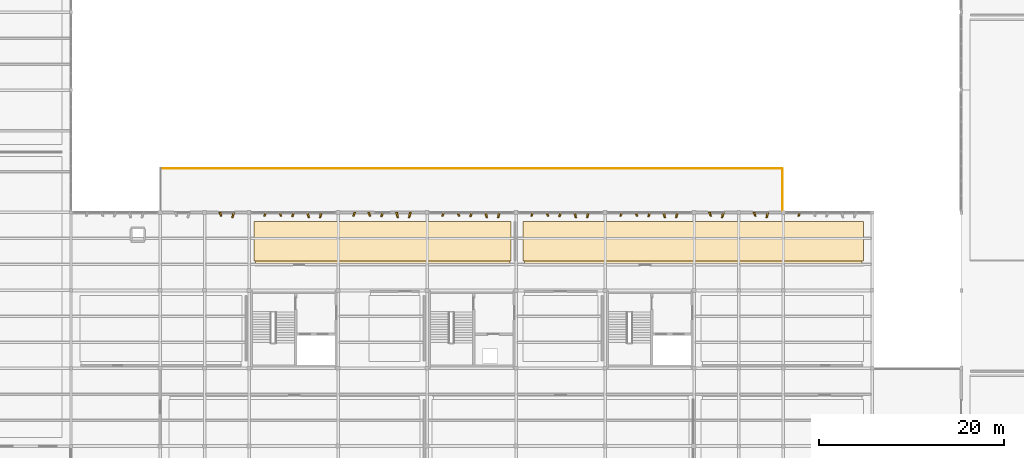
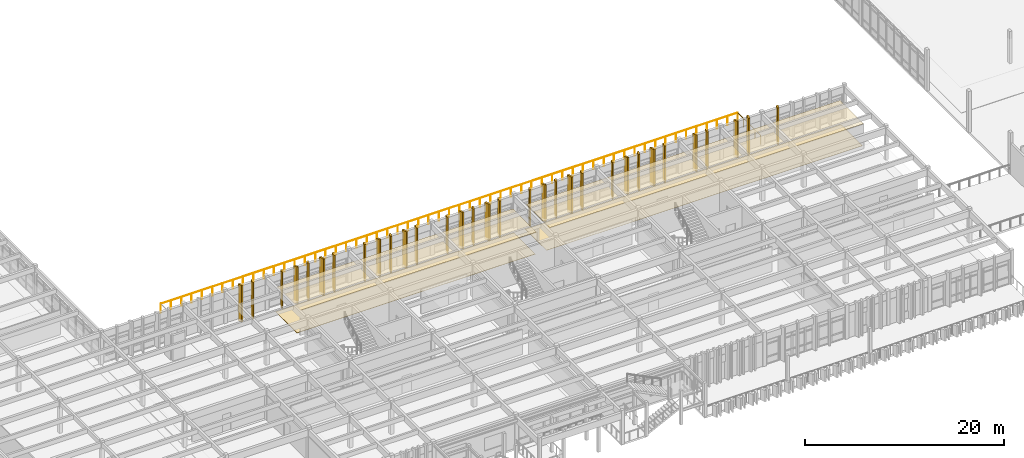
# One storey, part 57 of 61: 36 coverings, 2 railings.
"""IFC4 building model written with IfcOpenShell, lengths in metres."""

from ifc_helpers import new_model, si_unit, direction, frame, origin, origin_2d, place, context, subcontext, project, spatial, polyline, circle, outline, extrude, material, layer, layer_set, type_object, element, save


model = new_model("IFC4")

# Units and contexts
model_context = context("Model", 3, precision=1e-05, world=origin(), true_north=direction((0.0, 1.0)))
body_context = subcontext(model_context, "Body", "Model", "MODEL_VIEW")
ifc_project = project(units=[si_unit("LENGTHUNIT", "METRE"), si_unit("AREAUNIT", "SQUARE_METRE"), si_unit("VOLUMEUNIT", "CUBIC_METRE"), si_unit("PLANEANGLEUNIT", "RADIAN"), si_unit("MASSUNIT", "GRAM", prefix="KILO")], contexts=[model_context])

# Site, building, storey
site_placement = place(None, origin())
site = spatial("IfcSite", under=ifc_project, at=site_placement, CompositionType="ELEMENT")
building_placement = place(site_placement, origin())
building = spatial("IfcBuilding", under=site, at=building_placement, Name="Kolvemor Railside Polytechnic", CompositionType="ELEMENT")
storey_placement = place(building_placement, frame((0.0, 0.0, 10.199951171875)))
storey = spatial("IfcBuildingStorey", under=building, at=storey_placement, Name="L02", CompositionType="ELEMENT", Elevation=10.199951171875)

# Coverings
ifc_material_1 = material(Name="Perforated acoustic mineral-fibre and timber-slat ceiling", Category="wood")
ifc_layer_1 = layer(ifc_material_1, 0.02490234375, Name="COV-CEIL-1")
ifc_layer_set_1 = layer_set([ifc_layer_1], Name="Perforated acoustic mineral-fibre and timber-slat ceiling")
covering_type_1 = type_object("IfcCoveringType", Name="COV-CEIL-1", PredefinedType="CEILING", material=ifc_layer_set_1)
covering_1_placement = place(storey_placement, frame((0.0, 0.0, 3.005126953125)))
element("IfcCovering", 1, at=covering_1_placement, inside=storey, type_object=covering_type_1, Name="Product Ergonomics Design Studio Acoustic Ceiling", PredefinedType="CEILING", context=body_context, shape_type="SweptSolid", body=[
    extrude(outline(polyline([(96.8798828125, 32.719970703125), (133.320068359375, 32.719970703125), (133.320068359375, 37.449951171875), (96.8798828125, 37.449951171875), (96.8798828125, 32.719970703125)])), origin(), (0.0, 0.0, 1.0), 0.02490234375),
])
ifc_material_2 = material(Name="Perforated acoustic mineral-fibre and timber-slat ceiling", Category="wood")
ifc_layer_2 = layer(ifc_material_2, 0.0400390625, Name="COV-CEIL-4")
ifc_layer_set_2 = layer_set([ifc_layer_2], Name="Perforated acoustic mineral-fibre and timber-slat ceiling")
covering_type_2 = type_object("IfcCoveringType", Name="COV-CEIL-4", PredefinedType="CEILING", material=ifc_layer_set_2)
covering_2_placement = place(storey_placement, frame((0.0, 0.0, 2.989990234375)))
element("IfcCovering", 2, at=covering_2_placement, inside=storey, type_object=covering_type_2, Name="Seminar Room 204 Acoustic Ceiling", PredefinedType="CEILING", context=body_context, shape_type="SweptSolid", body=[
    extrude(outline(polyline([(67.8798828125, 32.719970703125), (95.320068359375, 32.719970703125), (95.320068359375, 37.449951171875), (67.8798828125, 37.449951171875), (67.8798828125, 32.719970703125)])), origin(), (0.0, 0.0, 1.0), 0.0400390625),
])
ifc_material_3 = material(Name="Sea-mist PVDF-anodised marine aluminium 5052-H32", Category="aluminium")
ifc_layer_3 = layer(ifc_material_3, 0.159912109375, Name="COV-FIN-MIST")
ifc_layer_set_3 = layer_set([ifc_layer_3], Name="Sea-mist PVDF-anodised marine aluminium 5052-H32")
covering_type_3 = type_object("IfcCoveringType", Name="COV-FIN-MIST", PredefinedType="CLADDING", material=ifc_layer_set_3)
covering_3_placement = place(storey_placement, frame((0.0, 0.0, -0.320068359375)))
element("IfcCovering", 3, at=covering_3_placement, inside=storey, type_object=covering_type_3, Name="Pleated Solar Fin L02-0492", PredefinedType="CLADDING", context=body_context, shape_type="SweptSolid", body=[
    extrude(outline(polyline([(65.6650390625, 38.43505859375), (65.43505859375, 38.43505859375), (65.330078125, 37.847900390625), (65.489990234375, 37.847900390625), (65.6650390625, 38.43505859375)])), origin(), (0.0, 0.0, 1.0), 4.52001953125),
])
covering_4_placement = place(storey_placement, frame((0.0, 0.0, -0.320068359375)))
element("IfcCovering", 4, at=covering_4_placement, inside=storey, type_object=covering_type_3, Name="Pleated Solar Fin L02-0493", PredefinedType="CLADDING", context=body_context, shape_type="SweptSolid", body=[
    extrude(outline(polyline([(64.1650390625, 38.43505859375), (63.93505859375, 38.43505859375), (64.110107421875, 37.98193359375), (64.27001953125, 37.98193359375), (64.1650390625, 38.43505859375)])), origin(), (0.0, 0.0, 1.0), 4.52001953125),
])
covering_5_placement = place(storey_placement, frame((0.0, 0.0, -0.320068359375)))
element("IfcCovering", 5, at=covering_5_placement, inside=storey, type_object=covering_type_3, Name="Pleated Solar Fin L02-0494", PredefinedType="CLADDING", context=body_context, shape_type="SweptSolid", body=[
    extrude(outline(polyline([(75.114990234375, 38.43505859375), (74.885009765625, 38.43505859375), (74.780029296875, 37.841064453125), (74.93994140625, 37.841064453125), (75.114990234375, 38.43505859375)])), origin(), (0.0, 0.0, 1.0), 4.52001953125),
])
covering_6_placement = place(storey_placement, frame((0.0, 0.0, -0.320068359375)))
element("IfcCovering", 6, at=covering_6_placement, inside=storey, type_object=covering_type_3, Name="Pleated Solar Fin L02-0495", PredefinedType="CLADDING", context=body_context, shape_type="SweptSolid", body=[
    extrude(outline(polyline([(73.614990234375, 38.43505859375), (73.385009765625, 38.43505859375), (73.56005859375, 37.847900390625), (73.719970703125, 37.847900390625), (73.614990234375, 38.43505859375)])), origin(), (0.0, 0.0, 1.0), 4.52001953125),
])
covering_7_placement = place(storey_placement, frame((0.0, 0.0, -0.320068359375)))
element("IfcCovering", 7, at=covering_7_placement, inside=storey, type_object=covering_type_3, Name="Pleated Solar Fin L02-0496", PredefinedType="CLADDING", context=body_context, shape_type="SweptSolid", body=[
    extrude(outline(polyline([(72.114990234375, 38.43505859375), (71.885009765625, 38.43505859375), (71.780029296875, 37.9150390625), (71.93994140625, 37.9150390625), (72.114990234375, 38.43505859375)])), origin(), (0.0, 0.0, 1.0), 4.52001953125),
])
covering_8_placement = place(storey_placement, frame((0.0, 0.0, -0.320068359375)))
element("IfcCovering", 8, at=covering_8_placement, inside=storey, type_object=covering_type_3, Name="Pleated Solar Fin L02-0497", PredefinedType="CLADDING", context=body_context, shape_type="SweptSolid", body=[
    extrude(outline(polyline([(70.614990234375, 38.43505859375), (70.385009765625, 38.43505859375), (70.56005859375, 37.98193359375), (70.719970703125, 37.98193359375), (70.614990234375, 38.43505859375)])), origin(), (0.0, 0.0, 1.0), 4.52001953125),
])
covering_9_placement = place(storey_placement, frame((0.0, 0.0, -0.320068359375)))
element("IfcCovering", 9, at=covering_9_placement, inside=storey, type_object=covering_type_3, Name="Pleated Solar Fin L02-0498", PredefinedType="CLADDING", context=body_context, shape_type="SweptSolid", body=[
    extrude(outline(polyline([(69.114990234375, 38.43505859375), (68.885009765625, 38.43505859375), (68.780029296875, 37.989013671875), (68.93994140625, 37.989013671875), (69.114990234375, 38.43505859375)])), origin(), (0.0, 0.0, 1.0), 4.52001953125),
])
covering_10_placement = place(storey_placement, frame((0.0, 0.0, -0.320068359375)))
element("IfcCovering", 10, at=covering_10_placement, inside=storey, type_object=covering_type_3, Name="Pleated Solar Fin L02-0499", PredefinedType="CLADDING", context=body_context, shape_type="SweptSolid", body=[
    extrude(outline(polyline([(84.715087890625, 38.43505859375), (84.485107421875, 38.43505859375), (84.3798828125, 37.841064453125), (84.5400390625, 37.841064453125), (84.715087890625, 38.43505859375)])), origin(), (0.0, 0.0, 1.0), 4.52001953125),
])
covering_11_placement = place(storey_placement, frame((0.0, 0.0, -0.320068359375)))
element("IfcCovering", 11, at=covering_11_placement, inside=storey, type_object=covering_type_3, Name="Pleated Solar Fin L02-0500", PredefinedType="CLADDING", context=body_context, shape_type="SweptSolid", body=[
    extrude(outline(polyline([(83.215087890625, 38.43505859375), (82.985107421875, 38.43505859375), (83.159912109375, 37.847900390625), (83.320068359375, 37.847900390625), (83.215087890625, 38.43505859375)])), origin(), (0.0, 0.0, 1.0), 4.52001953125),
])
covering_12_placement = place(storey_placement, frame((0.0, 0.0, -0.320068359375)))
element("IfcCovering", 12, at=covering_12_placement, inside=storey, type_object=covering_type_3, Name="Pleated Solar Fin L02-0501", PredefinedType="CLADDING", context=body_context, shape_type="SweptSolid", body=[
    extrude(outline(polyline([(81.715087890625, 38.43505859375), (81.485107421875, 38.43505859375), (81.3798828125, 37.9150390625), (81.5400390625, 37.9150390625), (81.715087890625, 38.43505859375)])), origin(), (0.0, 0.0, 1.0), 4.52001953125),
])
covering_13_placement = place(storey_placement, frame((0.0, 0.0, -0.320068359375)))
element("IfcCovering", 13, at=covering_13_placement, inside=storey, type_object=covering_type_3, Name="Pleated Solar Fin L02-0502", PredefinedType="CLADDING", context=body_context, shape_type="SweptSolid", body=[
    extrude(outline(polyline([(80.215087890625, 38.43505859375), (79.985107421875, 38.43505859375), (80.159912109375, 37.98193359375), (80.320068359375, 37.98193359375), (80.215087890625, 38.43505859375)])), origin(), (0.0, 0.0, 1.0), 4.52001953125),
])
covering_14_placement = place(storey_placement, frame((0.0, 0.0, -0.320068359375)))
element("IfcCovering", 14, at=covering_14_placement, inside=storey, type_object=covering_type_3, Name="Pleated Solar Fin L02-0503", PredefinedType="CLADDING", context=body_context, shape_type="SweptSolid", body=[
    extrude(outline(polyline([(78.715087890625, 38.43505859375), (78.485107421875, 38.43505859375), (78.3798828125, 37.989013671875), (78.5400390625, 37.989013671875), (78.715087890625, 38.43505859375)])), origin(), (0.0, 0.0, 1.0), 4.52001953125),
])
covering_15_placement = place(storey_placement, frame((0.0, 0.0, -0.320068359375)))
element("IfcCovering", 15, at=covering_15_placement, inside=storey, type_object=covering_type_3, Name="Pleated Solar Fin L02-0504", PredefinedType="CLADDING", context=body_context, shape_type="SweptSolid", body=[
    extrude(outline(polyline([(94.31494140625, 38.43505859375), (94.0849609375, 38.43505859375), (93.97998046875, 37.841064453125), (94.139892578125, 37.841064453125), (94.31494140625, 38.43505859375)])), origin(), (0.0, 0.0, 1.0), 4.52001953125),
])
covering_16_placement = place(storey_placement, frame((0.0, 0.0, -0.320068359375)))
element("IfcCovering", 16, at=covering_16_placement, inside=storey, type_object=covering_type_3, Name="Pleated Solar Fin L02-0505", PredefinedType="CLADDING", context=body_context, shape_type="SweptSolid", body=[
    extrude(outline(polyline([(92.81494140625, 38.43505859375), (92.5849609375, 38.43505859375), (92.760009765625, 37.847900390625), (92.919921875, 37.847900390625), (92.81494140625, 38.43505859375)])), origin(), (0.0, 0.0, 1.0), 4.52001953125),
])
covering_17_placement = place(storey_placement, frame((0.0, 0.0, -0.320068359375)))
element("IfcCovering", 17, at=covering_17_placement, inside=storey, type_object=covering_type_3, Name="Pleated Solar Fin L02-0506", PredefinedType="CLADDING", context=body_context, shape_type="SweptSolid", body=[
    extrude(outline(polyline([(91.31494140625, 38.43505859375), (91.0849609375, 38.43505859375), (90.97998046875, 37.9150390625), (91.139892578125, 37.9150390625), (91.31494140625, 38.43505859375)])), origin(), (0.0, 0.0, 1.0), 4.52001953125),
])
covering_18_placement = place(storey_placement, frame((0.0, 0.0, -0.320068359375)))
element("IfcCovering", 18, at=covering_18_placement, inside=storey, type_object=covering_type_3, Name="Pleated Solar Fin L02-0507", PredefinedType="CLADDING", context=body_context, shape_type="SweptSolid", body=[
    extrude(outline(polyline([(89.81494140625, 38.43505859375), (89.5849609375, 38.43505859375), (89.760009765625, 37.98193359375), (89.919921875, 37.98193359375), (89.81494140625, 38.43505859375)])), origin(), (0.0, 0.0, 1.0), 4.52001953125),
])
covering_19_placement = place(storey_placement, frame((0.0, 0.0, -0.320068359375)))
element("IfcCovering", 19, at=covering_19_placement, inside=storey, type_object=covering_type_3, Name="Pleated Solar Fin L02-0508", PredefinedType="CLADDING", context=body_context, shape_type="SweptSolid", body=[
    extrude(outline(polyline([(88.31494140625, 38.43505859375), (88.0849609375, 38.43505859375), (87.97998046875, 37.989013671875), (88.139892578125, 37.989013671875), (88.31494140625, 38.43505859375)])), origin(), (0.0, 0.0, 1.0), 4.52001953125),
])
covering_20_placement = place(storey_placement, frame((0.0, 0.0, -0.320068359375)))
element("IfcCovering", 20, at=covering_20_placement, inside=storey, type_object=covering_type_3, Name="Pleated Solar Fin L02-0509", PredefinedType="CLADDING", context=body_context, shape_type="SweptSolid", body=[
    extrude(outline(polyline([(103.9150390625, 38.43505859375), (103.68505859375, 38.43505859375), (103.580078125, 37.841064453125), (103.739990234375, 37.841064453125), (103.9150390625, 38.43505859375)])), origin(), (0.0, 0.0, 1.0), 4.52001953125),
])
covering_21_placement = place(storey_placement, frame((0.0, 0.0, -0.320068359375)))
element("IfcCovering", 21, at=covering_21_placement, inside=storey, type_object=covering_type_3, Name="Pleated Solar Fin L02-0510", PredefinedType="CLADDING", context=body_context, shape_type="SweptSolid", body=[
    extrude(outline(polyline([(102.4150390625, 38.43505859375), (102.18505859375, 38.43505859375), (102.360107421875, 37.847900390625), (102.52001953125, 37.847900390625), (102.4150390625, 38.43505859375)])), origin(), (0.0, 0.0, 1.0), 4.52001953125),
])
covering_22_placement = place(storey_placement, frame((0.0, 0.0, -0.320068359375)))
element("IfcCovering", 22, at=covering_22_placement, inside=storey, type_object=covering_type_3, Name="Pleated Solar Fin L02-0511", PredefinedType="CLADDING", context=body_context, shape_type="SweptSolid", body=[
    extrude(outline(polyline([(100.9150390625, 38.43505859375), (100.68505859375, 38.43505859375), (100.580078125, 37.9150390625), (100.739990234375, 37.9150390625), (100.9150390625, 38.43505859375)])), origin(), (0.0, 0.0, 1.0), 4.52001953125),
])
covering_23_placement = place(storey_placement, frame((0.0, 0.0, -0.320068359375)))
element("IfcCovering", 23, at=covering_23_placement, inside=storey, type_object=covering_type_3, Name="Pleated Solar Fin L02-0512", PredefinedType="CLADDING", context=body_context, shape_type="SweptSolid", body=[
    extrude(outline(polyline([(99.4150390625, 38.43505859375), (99.18505859375, 38.43505859375), (99.360107421875, 37.98193359375), (99.52001953125, 37.98193359375), (99.4150390625, 38.43505859375)])), origin(), (0.0, 0.0, 1.0), 4.52001953125),
])
covering_24_placement = place(storey_placement, frame((0.0, 0.0, -0.320068359375)))
element("IfcCovering", 24, at=covering_24_placement, inside=storey, type_object=covering_type_3, Name="Pleated Solar Fin L02-0513", PredefinedType="CLADDING", context=body_context, shape_type="SweptSolid", body=[
    extrude(outline(polyline([(97.9150390625, 38.43505859375), (97.68505859375, 38.43505859375), (97.580078125, 37.989013671875), (97.739990234375, 37.989013671875), (97.9150390625, 38.43505859375)])), origin(), (0.0, 0.0, 1.0), 4.52001953125),
])
covering_25_placement = place(storey_placement, frame((0.0, 0.0, -0.320068359375)))
element("IfcCovering", 25, at=covering_25_placement, inside=storey, type_object=covering_type_3, Name="Pleated Solar Fin L02-0514", PredefinedType="CLADDING", context=body_context, shape_type="SweptSolid", body=[
    extrude(outline(polyline([(113.514892578125, 38.43505859375), (113.284912109375, 38.43505859375), (113.179931640625, 37.841064453125), (113.340087890625, 37.841064453125), (113.514892578125, 38.43505859375)])), origin(), (0.0, 0.0, 1.0), 4.52001953125),
])
covering_26_placement = place(storey_placement, frame((0.0, 0.0, -0.320068359375)))
element("IfcCovering", 26, at=covering_26_placement, inside=storey, type_object=covering_type_3, Name="Pleated Solar Fin L02-0515", PredefinedType="CLADDING", context=body_context, shape_type="SweptSolid", body=[
    extrude(outline(polyline([(112.014892578125, 38.43505859375), (111.784912109375, 38.43505859375), (111.9599609375, 37.847900390625), (112.1201171875, 37.847900390625), (112.014892578125, 38.43505859375)])), origin(), (0.0, 0.0, 1.0), 4.52001953125),
])
covering_27_placement = place(storey_placement, frame((0.0, 0.0, -0.320068359375)))
element("IfcCovering", 27, at=covering_27_placement, inside=storey, type_object=covering_type_3, Name="Pleated Solar Fin L02-0516", PredefinedType="CLADDING", context=body_context, shape_type="SweptSolid", body=[
    extrude(outline(polyline([(110.514892578125, 38.43505859375), (110.284912109375, 38.43505859375), (110.179931640625, 37.9150390625), (110.340087890625, 37.9150390625), (110.514892578125, 38.43505859375)])), origin(), (0.0, 0.0, 1.0), 4.52001953125),
])
covering_28_placement = place(storey_placement, frame((0.0, 0.0, -0.320068359375)))
element("IfcCovering", 28, at=covering_28_placement, inside=storey, type_object=covering_type_3, Name="Pleated Solar Fin L02-0517", PredefinedType="CLADDING", context=body_context, shape_type="SweptSolid", body=[
    extrude(outline(polyline([(109.014892578125, 38.43505859375), (108.784912109375, 38.43505859375), (108.9599609375, 37.98193359375), (109.1201171875, 37.98193359375), (109.014892578125, 38.43505859375)])), origin(), (0.0, 0.0, 1.0), 4.52001953125),
])
covering_29_placement = place(storey_placement, frame((0.0, 0.0, -0.320068359375)))
element("IfcCovering", 29, at=covering_29_placement, inside=storey, type_object=covering_type_3, Name="Pleated Solar Fin L02-0518", PredefinedType="CLADDING", context=body_context, shape_type="SweptSolid", body=[
    extrude(outline(polyline([(107.514892578125, 38.43505859375), (107.284912109375, 38.43505859375), (107.179931640625, 37.989013671875), (107.340087890625, 37.989013671875), (107.514892578125, 38.43505859375)])), origin(), (0.0, 0.0, 1.0), 4.52001953125),
])
covering_30_placement = place(storey_placement, frame((0.0, 0.0, -0.320068359375)))
element("IfcCovering", 30, at=covering_30_placement, inside=storey, type_object=covering_type_3, Name="Pleated Solar Fin L02-0519", PredefinedType="CLADDING", context=body_context, shape_type="SweptSolid", body=[
    extrude(outline(polyline([(118.465087890625, 38.43505859375), (118.235107421875, 38.43505859375), (118.1298828125, 37.847900390625), (118.2900390625, 37.847900390625), (118.465087890625, 38.43505859375)])), origin(), (0.0, 0.0, 1.0), 4.52001953125),
])
covering_31_placement = place(storey_placement, frame((0.0, 0.0, -0.320068359375)))
element("IfcCovering", 31, at=covering_31_placement, inside=storey, type_object=covering_type_3, Name="Pleated Solar Fin L02-0520", PredefinedType="CLADDING", context=body_context, shape_type="SweptSolid", body=[
    extrude(outline(polyline([(116.965087890625, 38.43505859375), (116.735107421875, 38.43505859375), (116.909912109375, 37.98193359375), (117.070068359375, 37.98193359375), (116.965087890625, 38.43505859375)])), origin(), (0.0, 0.0, 1.0), 4.52001953125),
])
covering_32_placement = place(storey_placement, frame((0.0, 0.0, -0.320068359375)))
element("IfcCovering", 32, at=covering_32_placement, inside=storey, type_object=covering_type_3, Name="Pleated Solar Fin L02-0521", PredefinedType="CLADDING", context=body_context, shape_type="SweptSolid", body=[
    extrude(outline(polyline([(123.264892578125, 38.43505859375), (123.034912109375, 38.43505859375), (122.929931640625, 37.847900390625), (123.090087890625, 37.847900390625), (123.264892578125, 38.43505859375)])), origin(), (0.0, 0.0, 1.0), 4.52001953125),
])
covering_33_placement = place(storey_placement, frame((0.0, 0.0, -0.320068359375)))
element("IfcCovering", 33, at=covering_33_placement, inside=storey, type_object=covering_type_3, Name="Pleated Solar Fin L02-0522", PredefinedType="CLADDING", context=body_context, shape_type="SweptSolid", body=[
    extrude(outline(polyline([(121.764892578125, 38.43505859375), (121.534912109375, 38.43505859375), (121.7099609375, 37.98193359375), (121.8701171875, 37.98193359375), (121.764892578125, 38.43505859375)])), origin(), (0.0, 0.0, 1.0), 4.52001953125),
])
covering_34_placement = place(storey_placement, frame((0.0, 0.0, -0.320068359375)))
element("IfcCovering", 34, at=covering_34_placement, inside=storey, type_object=covering_type_3, Name="Pleated Solar Fin L02-0527", PredefinedType="CLADDING", context=body_context, shape_type="SweptSolid", body=[
    extrude(outline(polyline([(126.715087890625, 38.43505859375), (126.485107421875, 38.43505859375), (126.3798828125, 37.989013671875), (126.5400390625, 37.989013671875), (126.715087890625, 38.43505859375)])), origin(), (0.0, 0.0, 1.0), 4.52001953125),
])
ifc_material_4 = material(Name="Polished coral-aggregate terrazzo and laboratory epoxy flooring")
ifc_layer_4 = layer(ifc_material_4, 0.02001953125, Name="COV-FLR-1")
ifc_layer_set_4 = layer_set([ifc_layer_4], Name="Polished coral-aggregate terrazzo and laboratory epoxy flooring")
covering_type_4 = type_object("IfcCoveringType", Name="COV-FLR-1", PredefinedType="FLOORING", material=ifc_layer_set_4)
covering_35_placement = place(storey_placement, origin())
element("IfcCovering", 35, at=covering_35_placement, inside=storey, type_object=covering_type_4, Name="Product Ergonomics Design Studio Floor Finish", PredefinedType="FLOORING", context=body_context, shape_type="SweptSolid", body=[
    extrude(outline(polyline([(96.75, 33.14990234375), (133.449951171875, 33.14990234375), (133.449951171875, 37.449951171875), (96.75, 37.449951171875), (96.75, 33.14990234375)])), origin(), (0.0, 0.0, 1.0), 0.02001953125),
])
ifc_material_5 = material(Name="Polished coral-aggregate terrazzo and laboratory epoxy flooring")
ifc_layer_5 = layer(ifc_material_5, 0.034912109375, Name="COV-FLR-4")
ifc_layer_set_5 = layer_set([ifc_layer_5], Name="Polished coral-aggregate terrazzo and laboratory epoxy flooring")
covering_type_5 = type_object("IfcCoveringType", Name="COV-FLR-4", PredefinedType="FLOORING", material=ifc_layer_set_5)
covering_36_placement = place(storey_placement, origin())
element("IfcCovering", 36, at=covering_36_placement, inside=storey, type_object=covering_type_5, Name="Seminar Room 204 Floor Finish", PredefinedType="FLOORING", context=body_context, shape_type="SweptSolid", body=[
    extrude(outline(polyline([(67.75, 33.14990234375), (95.449951171875, 33.14990234375), (95.449951171875, 37.449951171875), (67.75, 37.449951171875), (67.75, 33.14990234375)])), origin(), (0.0, 0.0, 1.0), 0.03515625),
])

# Railings
ifc_material_6 = material(Name="AISI 316 marine stainless-steel balustrade guard", Category="steel")
railing_type = type_object("IfcRailingType", Name="RLG-GUARD-1120", PredefinedType="BALUSTRADE", material=ifc_material_6)
railing_1_placement = place(storey_placement, frame((124.719970703125, 38.5400390625, 0.0)))
element("IfcRailing", 37, at=railing_1_placement, inside=storey, type_object=railing_type, Name="Corner Study Terrace L02-N E Guard GR-011", PredefinedType="BALUSTRADE", context=body_context, shape_type="SweptSolid", body=[
    extrude(circle(Radius=0.02392578125, at=origin_2d()), frame((0.0, 0.054931640625, 1.09619140625), z_axis=(0.0, 1.0, 0.0), x_axis=(-1.0, 0.0, 0.0)), (0.0, 0.0, 1.0), 4.469970703125),
    extrude(circle(Radius=0.02099609375, at=origin_2d()), origin(), (0.0, 0.0, 1.0), 1.05712890625),
    extrude(circle(Radius=0.02099609375, at=origin_2d()), frame((0.0, 1.14501953125, 0.0)), (0.0, 0.0, 1.0), 1.05712890625),
    extrude(circle(Radius=0.02099609375, at=origin_2d()), frame((0.0, 2.2900390625, 0.0)), (0.0, 0.0, 1.0), 1.05712890625),
    extrude(circle(Radius=0.02099609375, at=origin_2d()), frame((0.0, 3.43505859375, 0.0)), (0.0, 0.0, 1.0), 1.05712890625),
    extrude(circle(Radius=0.02099609375, at=origin_2d()), frame((0.0, 4.580078125, 0.0)), (0.0, 0.0, 1.0), 1.05712890625),
])
railing_2_placement = place(storey_placement, frame((124.719970703125, 43.1201171875, 0.0)))
element("IfcRailing", 38, at=railing_2_placement, inside=storey, type_object=railing_type, Name="Corner Study Terrace L02-N N Guard GR-012", PredefinedType="BALUSTRADE", context=body_context, shape_type="SweptSolid", body=[
    extrude(circle(Radius=0.02392578125, at=origin_2d()), frame((-0.054931640625, 0.0, 1.09619140625), z_axis=(-1.0, 0.0, 0.0), x_axis=(0.0, -1.0, 0.0)), (0.0, 0.0, 1.0), 66.929931640625),
    extrude(circle(Radius=0.02099609375, at=origin_2d()), origin(), (0.0, 0.0, 1.0), 1.05712890625),
    extrude(circle(Radius=0.02099609375, at=origin_2d()), frame((-1.197265625, 0.0, 0.0)), (0.0, 0.0, 1.0), 1.05712890625),
    extrude(circle(Radius=0.02099609375, at=origin_2d()), frame((-2.394287109375, 0.0, 0.0)), (0.0, 0.0, 1.0), 1.05712890625),
    extrude(circle(Radius=0.02099609375, at=origin_2d()), frame((-3.59130859375, 0.0, 0.0)), (0.0, 0.0, 1.0), 1.05712890625),
    extrude(circle(Radius=0.02099609375, at=origin_2d()), frame((-4.78857421875, 0.0, 0.0)), (0.0, 0.0, 1.0), 1.05712890625),
    extrude(circle(Radius=0.02099609375, at=origin_2d()), frame((-5.98583984375, 0.0, 0.0)), (0.0, 0.0, 1.0), 1.05712890625),
    extrude(circle(Radius=0.02099609375, at=origin_2d()), frame((-7.182861328125, 0.0, 0.0)), (0.0, 0.0, 1.0), 1.05712890625),
    extrude(circle(Radius=0.02099609375, at=origin_2d()), frame((-8.3798828125, 0.0, 0.0)), (0.0, 0.0, 1.0), 1.05712890625),
    extrude(circle(Radius=0.02099609375, at=origin_2d()), frame((-9.5771484375, 0.0, 0.0)), (0.0, 0.0, 1.0), 1.05712890625),
    extrude(circle(Radius=0.02099609375, at=origin_2d()), frame((-10.7744140625, 0.0, 0.0)), (0.0, 0.0, 1.0), 1.05712890625),
    extrude(circle(Radius=0.02099609375, at=origin_2d()), frame((-11.971435546875, 0.0, 0.0)), (0.0, 0.0, 1.0), 1.05712890625),
    extrude(circle(Radius=0.02099609375, at=origin_2d()), frame((-13.16845703125, 0.0, 0.0)), (0.0, 0.0, 1.0), 1.05712890625),
    extrude(circle(Radius=0.02099609375, at=origin_2d()), frame((-14.36572265625, 0.0, 0.0)), (0.0, 0.0, 1.0), 1.05712890625),
    extrude(circle(Radius=0.02099609375, at=origin_2d()), frame((-15.56298828125, 0.0, 0.0)), (0.0, 0.0, 1.0), 1.05712890625),
    extrude(circle(Radius=0.02099609375, at=origin_2d()), frame((-16.760009765625, 0.0, 0.0)), (0.0, 0.0, 1.0), 1.05712890625),
    extrude(circle(Radius=0.02099609375, at=origin_2d()), frame((-17.95703125, 0.0, 0.0)), (0.0, 0.0, 1.0), 1.05712890625),
    extrude(circle(Radius=0.02099609375, at=origin_2d()), frame((-19.154296875, 0.0, 0.0)), (0.0, 0.0, 1.0), 1.05712890625),
    extrude(circle(Radius=0.02099609375, at=origin_2d()), frame((-20.3515625, 0.0, 0.0)), (0.0, 0.0, 1.0), 1.05712890625),
    extrude(circle(Radius=0.02099609375, at=origin_2d()), frame((-21.548583984375, 0.0, 0.0)), (0.0, 0.0, 1.0), 1.05712890625),
    extrude(circle(Radius=0.02099609375, at=origin_2d()), frame((-22.74560546875, 0.0, 0.0)), (0.0, 0.0, 1.0), 1.05712890625),
    extrude(circle(Radius=0.02099609375, at=origin_2d()), frame((-23.94287109375, 0.0, 0.0)), (0.0, 0.0, 1.0), 1.05712890625),
    extrude(circle(Radius=0.02099609375, at=origin_2d()), frame((-25.14013671875, 0.0, 0.0)), (0.0, 0.0, 1.0), 1.05712890625),
    extrude(circle(Radius=0.02099609375, at=origin_2d()), frame((-26.337158203125, 0.0, 0.0)), (0.0, 0.0, 1.0), 1.05712890625),
    extrude(circle(Radius=0.02099609375, at=origin_2d()), frame((-27.5341796875, 0.0, 0.0)), (0.0, 0.0, 1.0), 1.05712890625),
    extrude(circle(Radius=0.02099609375, at=origin_2d()), frame((-28.7314453125, 0.0, 0.0)), (0.0, 0.0, 1.0), 1.05712890625),
    extrude(circle(Radius=0.02099609375, at=origin_2d()), frame((-29.9287109375, 0.0, 0.0)), (0.0, 0.0, 1.0), 1.05712890625),
    extrude(circle(Radius=0.02099609375, at=origin_2d()), frame((-31.125732421875, 0.0, 0.0)), (0.0, 0.0, 1.0), 1.05712890625),
    extrude(circle(Radius=0.02099609375, at=origin_2d()), frame((-32.32275390625, 0.0, 0.0)), (0.0, 0.0, 1.0), 1.05712890625),
    extrude(circle(Radius=0.02099609375, at=origin_2d()), frame((-33.52001953125, 0.0, 0.0)), (0.0, 0.0, 1.0), 1.05712890625),
    extrude(circle(Radius=0.02099609375, at=origin_2d()), frame((-34.71728515625, 0.0, 0.0)), (0.0, 0.0, 1.0), 1.05712890625),
    extrude(circle(Radius=0.02099609375, at=origin_2d()), frame((-35.914306640625, 0.0, 0.0)), (0.0, 0.0, 1.0), 1.05712890625),
    extrude(circle(Radius=0.02099609375, at=origin_2d()), frame((-37.111328125, 0.0, 0.0)), (0.0, 0.0, 1.0), 1.05712890625),
    extrude(circle(Radius=0.02099609375, at=origin_2d()), frame((-38.30859375, 0.0, 0.0)), (0.0, 0.0, 1.0), 1.05712890625),
    extrude(circle(Radius=0.02099609375, at=origin_2d()), frame((-39.505859375, 0.0, 0.0)), (0.0, 0.0, 1.0), 1.05712890625),
    extrude(circle(Radius=0.02099609375, at=origin_2d()), frame((-40.702880859375, 0.0, 0.0)), (0.0, 0.0, 1.0), 1.05712890625),
    extrude(circle(Radius=0.02099609375, at=origin_2d()), frame((-41.89990234375, 0.0, 0.0)), (0.0, 0.0, 1.0), 1.05712890625),
    extrude(circle(Radius=0.02099609375, at=origin_2d()), frame((-43.09716796875, 0.0, 0.0)), (0.0, 0.0, 1.0), 1.05712890625),
    extrude(circle(Radius=0.02099609375, at=origin_2d()), frame((-44.29443359375, 0.0, 0.0)), (0.0, 0.0, 1.0), 1.05712890625),
    extrude(circle(Radius=0.02099609375, at=origin_2d()), frame((-45.491455078125, 0.0, 0.0)), (0.0, 0.0, 1.0), 1.05712890625),
    extrude(circle(Radius=0.02099609375, at=origin_2d()), frame((-46.6884765625, 0.0, 0.0)), (0.0, 0.0, 1.0), 1.05712890625),
    extrude(circle(Radius=0.02099609375, at=origin_2d()), frame((-47.8857421875, 0.0, 0.0)), (0.0, 0.0, 1.0), 1.05712890625),
    extrude(circle(Radius=0.02099609375, at=origin_2d()), frame((-49.0830078125, 0.0, 0.0)), (0.0, 0.0, 1.0), 1.05712890625),
    extrude(circle(Radius=0.02099609375, at=origin_2d()), frame((-50.280029296875, 0.0, 0.0)), (0.0, 0.0, 1.0), 1.05712890625),
    extrude(circle(Radius=0.02099609375, at=origin_2d()), frame((-51.47705078125, 0.0, 0.0)), (0.0, 0.0, 1.0), 1.05712890625),
    extrude(circle(Radius=0.02099609375, at=origin_2d()), frame((-52.67431640625, 0.0, 0.0)), (0.0, 0.0, 1.0), 1.05712890625),
    extrude(circle(Radius=0.02099609375, at=origin_2d()), frame((-53.87158203125, 0.0, 0.0)), (0.0, 0.0, 1.0), 1.05712890625),
    extrude(circle(Radius=0.02099609375, at=origin_2d()), frame((-55.068603515625, 0.0, 0.0)), (0.0, 0.0, 1.0), 1.05712890625),
    extrude(circle(Radius=0.02099609375, at=origin_2d()), frame((-56.265625, 0.0, 0.0)), (0.0, 0.0, 1.0), 1.05712890625),
    extrude(circle(Radius=0.02099609375, at=origin_2d()), frame((-57.462890625, 0.0, 0.0)), (0.0, 0.0, 1.0), 1.05712890625),
    extrude(circle(Radius=0.02099609375, at=origin_2d()), frame((-58.66015625, 0.0, 0.0)), (0.0, 0.0, 1.0), 1.05712890625),
    extrude(circle(Radius=0.02099609375, at=origin_2d()), frame((-59.857177734375, 0.0, 0.0)), (0.0, 0.0, 1.0), 1.05712890625),
    extrude(circle(Radius=0.02099609375, at=origin_2d()), frame((-61.05419921875, 0.0, 0.0)), (0.0, 0.0, 1.0), 1.05712890625),
    extrude(circle(Radius=0.02099609375, at=origin_2d()), frame((-62.25146484375, 0.0, 0.0)), (0.0, 0.0, 1.0), 1.05712890625),
    extrude(circle(Radius=0.02099609375, at=origin_2d()), frame((-63.44873046875, 0.0, 0.0)), (0.0, 0.0, 1.0), 1.05712890625),
    extrude(circle(Radius=0.02099609375, at=origin_2d()), frame((-64.645751953125, 0.0, 0.0)), (0.0, 0.0, 1.0), 1.05712890625),
    extrude(circle(Radius=0.02099609375, at=origin_2d()), frame((-65.8427734375, 0.0, 0.0)), (0.0, 0.0, 1.0), 1.05712890625),
    extrude(circle(Radius=0.02099609375, at=origin_2d()), frame((-67.0400390625, 0.0, 0.0)), (0.0, 0.0, 1.0), 1.05712890625),
])

save(model, "model.ifc")
